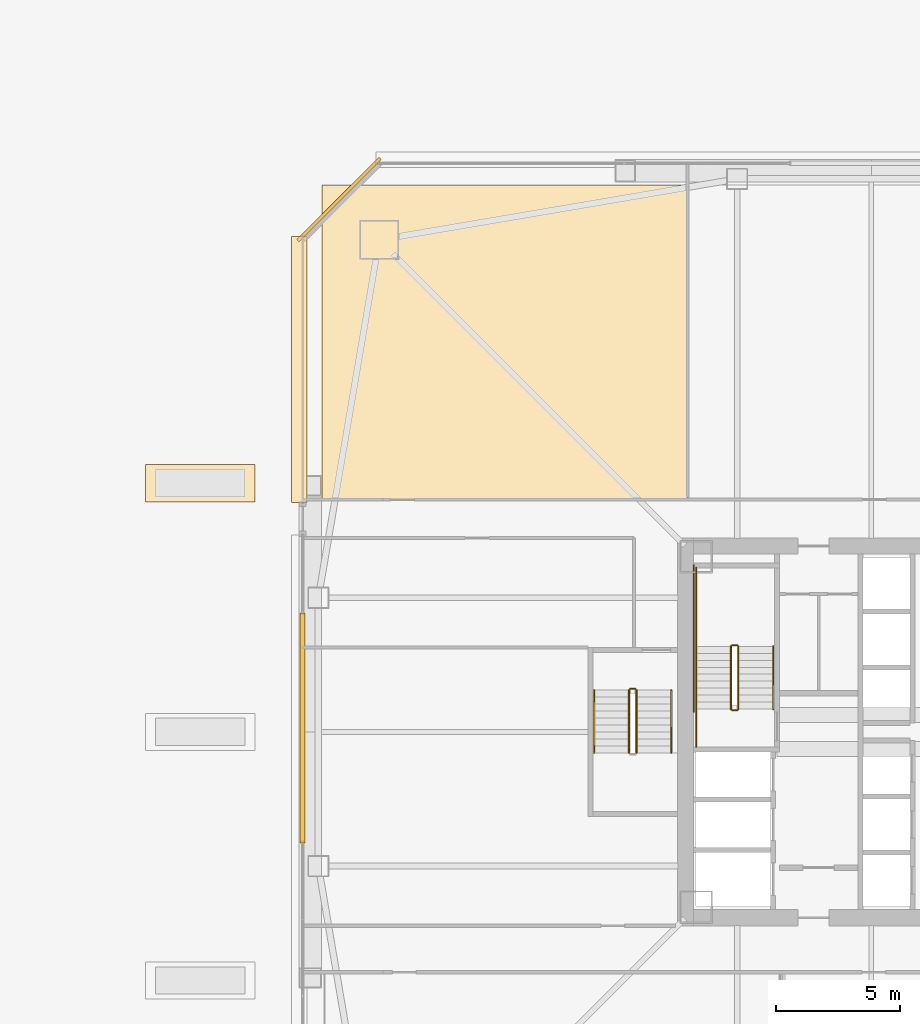
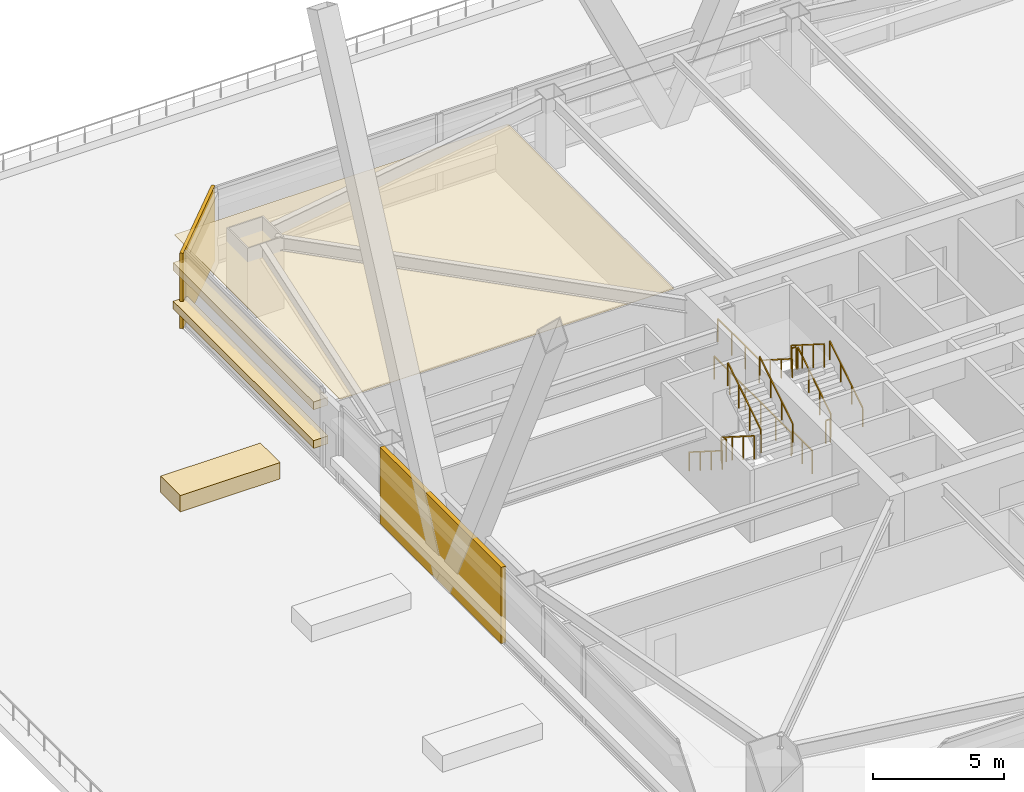
# One storey, part 75 of 83: 14 railings, 6 coverings.
"""IFC4 building model written with IfcOpenShell, lengths in metres."""

from ifc_helpers import new_model, si_unit, direction, frame, origin, origin_2d, place, context, subcontext, project, spatial, polyline, rectangle, outline, extrude, material, layer, layer_set, type_object, element, save


model = new_model("IFC4")

# Units and contexts
model_context = context("Model", 3, precision=1e-05, world=origin(), true_north=direction((0.0, 1.0)))
body_context = subcontext(model_context, "Body", "Model", "MODEL_VIEW")
ifc_project = project(units=[si_unit("LENGTHUNIT", "METRE"), si_unit("AREAUNIT", "SQUARE_METRE"), si_unit("VOLUMEUNIT", "CUBIC_METRE"), si_unit("PLANEANGLEUNIT", "RADIAN"), si_unit("MASSUNIT", "GRAM", prefix="KILO")], contexts=[model_context])

# Site, building, storey
site_placement = place(None, origin())
site = spatial("IfcSite", under=ifc_project, at=site_placement, CompositionType="ELEMENT")
building_placement = place(site_placement, origin())
building = spatial("IfcBuilding", under=site, at=building_placement, Name="Tashvorn Skyway Center", CompositionType="ELEMENT")
storey_placement = place(building_placement, frame((0.0, 0.0, 24.60009765625)))
storey = spatial("IfcBuildingStorey", under=building, at=storey_placement, Name="L05", CompositionType="ELEMENT", Elevation=24.60009765625)

# Coverings
ifc_material_1 = material(Name="Precast concrete C40/50", Category="concrete")
ifc_layer_1 = layer(ifc_material_1, 0.199951171875)
ifc_layer_set_1 = layer_set([ifc_layer_1], Name="Precast concrete C40/50")
covering_type_1 = type_object("IfcCoveringType", Name="COV-BRACE-CLAD", PredefinedType="CLADDING", material=ifc_layer_set_1)
covering_1_placement = place(storey_placement, frame((19.1201171875, 32.159912109375, 0.0), z_axis=(0.0, 0.0, 1.0), x_axis=(0.0, 1.0, 0.0)))
element("IfcCovering", 1, at=covering_1_placement, inside=storey, type_object=covering_type_1, Name="Tower 1 L05 West Unitised Curtain Wall L Mega-Brace Cladding Band 1", PredefinedType="CLADDING", context=body_context, shape_type="SweptSolid", body=[
    extrude(rectangle(XDim=9.2490234375, YDim=0.199951171875, at=origin_2d()), origin(), (0.0, 0.0, 1.0), 3.550048828125),
])
ifc_material_2 = material(Name="Mineral-fibre acoustic ceiling tile on suspended grid")
ifc_layer_2 = layer(ifc_material_2, 0.02001953125)
ifc_layer_set_2 = layer_set([ifc_layer_2], Name="Mineral-fibre acoustic ceiling tile on suspended grid")
covering_type_2 = type_object("IfcCoveringType", Name="COV-CEIL-20", PredefinedType="CEILING", material=ifc_layer_set_2)
covering_2_placement = place(storey_placement, frame((0.0, 0.0, 2.682861328125)))
element("IfcCovering", 2, at=covering_2_placement, inside=storey, type_object=covering_type_2, Name="Tower 1 L05 Open Plan Office Acoustic Ceiling", PredefinedType="CEILING", context=body_context, shape_type="SweptSolid", body=[
    extrude(outline(polyline([(19.89990234375, 41.35009765625), (34.60009765625, 41.35009765625), (34.60009765625, 54.0), (19.89990234375, 54.0), (19.89990234375, 41.35009765625)])), origin(), (0.0, 0.0, 1.0), 0.02001953125),
])
ifc_material_3 = material(Name="Perforated ceramic-coated bronze aluminium solar screen", Category="aluminium")
ifc_layer_3 = layer(ifc_material_3, 0.85009765625)
ifc_layer_set_3 = layer_set([ifc_layer_3], Name="Perforated ceramic-coated bronze aluminium solar screen")
covering_type_3 = type_object("IfcCoveringType", Name="COV-SOLAR-BAND", PredefinedType="CLADDING", material=ifc_layer_set_3)
for number, where, z_axis, x_axis, name in (
    (3, (18.97998046875, 46.581298828125, 0.919921875), (0.0, 0.0, 1.0), (0.0, 1.0, 0.0), "L05 Perforated Ceramic-Metal Solar Screen Louvre Band West 1"),
    (4, (18.97998046875, 46.581298828125, 2.7197265625), (0.0, 0.0, 1.0), (0.0, 1.0, 0.0), "L05 Perforated Ceramic-Metal Solar Screen Louvre Band West 2"),
):
    element("IfcCovering", number, at=place(storey_placement, frame(where, z_axis=z_axis, x_axis=x_axis)), inside=storey, type_object=covering_type_3, Name=name, PredefinedType="CLADDING", context=body_context, shape_type="SweptSolid", body=[
        extrude(rectangle(XDim=10.717529296875, YDim=0.639892578125, at=origin_2d()), origin(), (0.0, 0.0, 1.0), 0.360107421875),
    ])
ifc_layer_4 = layer(ifc_material_1, 0.35009765625)
ifc_layer_set_4 = layer_set([ifc_layer_4], Name="Precast concrete C40/50")
covering_type_4 = type_object("IfcCoveringType", Name="COV-STONE-TRIM", PredefinedType="CLADDING", material=ifc_layer_set_4)
covering_3_placement = place(storey_placement, frame((15.0, 42.0, 0.0), z_axis=(0.0, 0.0, 1.0), x_axis=(1.0, 0.0, 0.0)))
element("IfcCovering", 5, at=covering_3_placement, inside=storey, type_object=covering_type_4, Name="L05 Podium Roof Garden Stone Planter Kerb 3", PredefinedType="CLADDING", context=body_context, shape_type="SweptSolid", body=[
    extrude(rectangle(XDim=4.39990234375, YDim=1.5, at=origin_2d()), origin(), (0.0, 0.0, 1.0), 0.760009765625),
])
covering_4_placement = place(storey_placement, frame((20.580078125, 53.419921875, 0.02001953125), z_axis=(0.0, 0.0, 1.0), x_axis=(-0.707106781187, -0.707106781187, 0.0)))
element("IfcCovering", 6, at=covering_4_placement, inside=storey, type_object=covering_type_4, Name="Tower 1 L05 NW Mojave Limestone Corner Quoin", PredefinedType="CLADDING", context=body_context, shape_type="SweptSolid", body=[
    extrude(rectangle(XDim=4.685546875, YDim=0.139892578125, at=origin_2d()), origin(), (0.0, 0.0, 1.0), 3.510009765625),
])

# Railings
ifc_material_4 = material(Name="Brushed stainless steel 316", Category="steel")
railing_type_1 = type_object("IfcRailingType", Name="RAIL-HAND-920", PredefinedType="HANDRAIL", material=ifc_material_4)
railing_1_placement = place(storey_placement, frame((38.050048828125, 32.919921875, 0.177490234375)))
element("IfcRailing", 7, at=railing_1_placement, inside=storey, type_object=railing_type_1, Name="L05 ST-T1-1 stair handrail 1", PredefinedType="HANDRAIL", context=body_context, shape_type="SweptSolid", body=[
    extrude(rectangle(XDim=0.048095703125, YDim=0.048095703125, at=origin_2d()), frame((0.0, 0.0, 0.8759765625), z_axis=(0.0, 0.84460694969, 0.535386869969), x_axis=(-1.0, 0.0, 0.0)), (0.0, 0.0, 1.0), 2.983642578125),
    extrude(rectangle(XDim=0.0419921875, YDim=0.0419921875, at=origin_2d()), origin(), (0.0, 0.0, 1.0), 0.851806640625),
    extrude(rectangle(XDim=0.0419921875, YDim=0.0419921875, at=origin_2d()), frame((0.0, 0.840087890625, 0.532470703125)), (0.0, 0.0, 1.0), 0.851806640625),
    extrude(rectangle(XDim=0.0419921875, YDim=0.0419921875, at=origin_2d()), frame((0.0, 1.679931640625, 1.06494140625)), (0.0, 0.0, 1.0), 0.851806640625),
    extrude(rectangle(XDim=0.0419921875, YDim=0.0419921875, at=origin_2d()), frame((0.0, 2.52001953125, 1.597412109375)), (0.0, 0.0, 1.0), 0.851806640625),
])
for number, where, name in (
    (8, (34.949951171875, 35.43994140625, 1.952392578125), "L05 ST-T1-1 stair handrail 2"),
    (9, (30.85009765625, 33.679931640625, 0.177490234375), "L05 ST-T1-3 stair handrail 1"),
):
    element("IfcRailing", number, at=place(storey_placement, frame(where)), inside=storey, type_object=railing_type_1, Name=name, PredefinedType="HANDRAIL", context=body_context, shape_type="SweptSolid", body=[
        extrude(rectangle(XDim=0.048095703125, YDim=0.048095703125, at=origin_2d()), frame((0.0, 0.0, 0.8759765625), z_axis=(0.0, -0.84460694969, 0.535386869969), x_axis=(1.0, 0.0, 0.0)), (0.0, 0.0, 1.0), 2.983642578125),
        extrude(rectangle(XDim=0.0419921875, YDim=0.0419921875, at=origin_2d()), origin(), (0.0, 0.0, 1.0), 0.851806640625),
        extrude(rectangle(XDim=0.0419921875, YDim=0.0419921875, at=origin_2d()), frame((0.0, -0.840087890625, 0.532470703125)), (0.0, 0.0, 1.0), 0.851806640625),
        extrude(rectangle(XDim=0.0419921875, YDim=0.0419921875, at=origin_2d()), frame((0.0, -1.679931640625, 1.06494140625)), (0.0, 0.0, 1.0), 0.851806640625),
        extrude(rectangle(XDim=0.0419921875, YDim=0.0419921875, at=origin_2d()), frame((0.0, -2.52001953125, 1.597412109375)), (0.0, 0.0, 1.0), 0.851806640625),
    ])
railing_2_placement = place(storey_placement, frame((33.949951171875, 31.159912109375, 1.952392578125)))
element("IfcRailing", 10, at=railing_2_placement, inside=storey, type_object=railing_type_1, Name="L05 ST-T1-3 stair handrail 2", PredefinedType="HANDRAIL", context=body_context, shape_type="SweptSolid", body=[
    extrude(rectangle(XDim=0.048095703125, YDim=0.048095703125, at=origin_2d()), frame((0.0, 0.0, 0.8759765625), z_axis=(0.0, 0.84460694969, 0.535386869969), x_axis=(-1.0, 0.0, 0.0)), (0.0, 0.0, 1.0), 2.983642578125),
    extrude(rectangle(XDim=0.0419921875, YDim=0.0419921875, at=origin_2d()), origin(), (0.0, 0.0, 1.0), 0.851806640625),
    extrude(rectangle(XDim=0.0419921875, YDim=0.0419921875, at=origin_2d()), frame((0.0, 0.840087890625, 0.532470703125)), (0.0, 0.0, 1.0), 0.851806640625),
    extrude(rectangle(XDim=0.0419921875, YDim=0.0419921875, at=origin_2d()), frame((0.0, 1.679931640625, 1.06494140625)), (0.0, 0.0, 1.0), 0.851806640625),
    extrude(rectangle(XDim=0.0419921875, YDim=0.0419921875, at=origin_2d()), frame((0.0, 2.52001953125, 1.597412109375)), (0.0, 0.0, 1.0), 0.851806640625),
])
ifc_material_5 = material(Name="Painted galvanized steel S355", Category="steel")
railing_type_2 = type_object("IfcRailingType", Name="RAIL-STGUARD-1100", PredefinedType="GUARDRAIL", material=ifc_material_5)
railing_3_placement = place(storey_placement, frame((36.64990234375, 32.919921875, 0.177490234375)))
element("IfcRailing", 11, at=railing_3_placement, inside=storey, type_object=railing_type_2, Name="L05 ST-T1-1 stair guard 1", PredefinedType="GUARDRAIL", context=body_context, shape_type="SweptSolid", body=[
    extrude(rectangle(XDim=0.048095703125, YDim=0.048095703125, at=origin_2d()), frame((0.0, 0.0, 1.076171875), z_axis=(0.0, 0.84460694969, 0.535386869969), x_axis=(-1.0, 0.0, 0.0)), (0.0, 0.0, 1.0), 2.983642578125),
    extrude(rectangle(XDim=0.0419921875, YDim=0.0419921875, at=origin_2d()), origin(), (0.0, 0.0, 1.0), 1.052001953125),
    extrude(rectangle(XDim=0.0419921875, YDim=0.0419921875, at=origin_2d()), frame((0.0, 0.840087890625, 0.532470703125)), (0.0, 0.0, 1.0), 1.052001953125),
    extrude(rectangle(XDim=0.0419921875, YDim=0.0419921875, at=origin_2d()), frame((0.0, 1.679931640625, 1.06494140625)), (0.0, 0.0, 1.0), 1.052001953125),
    extrude(rectangle(XDim=0.0419921875, YDim=0.0419921875, at=origin_2d()), frame((0.0, 2.52001953125, 1.597412109375)), (0.0, 0.0, 1.0), 1.052001953125),
])
railing_4_placement = place(storey_placement, frame((36.60009765625, 35.489990234375, 1.77490234375)))
element("IfcRailing", 12, at=railing_4_placement, inside=storey, type_object=railing_type_2, Name="L05 ST-T1-1 stair guard 2", PredefinedType="GUARDRAIL", context=body_context, shape_type="SweptSolid", body=[
    extrude(rectangle(XDim=0.048095703125, YDim=0.048095703125, at=origin_2d()), frame((0.0, 0.0, 1.076171875), z_axis=(-1.0, 0.0, 0.0), x_axis=(0.0, -1.0, 0.0)), (0.0, 0.0, 1.0), 0.2001953125),
    extrude(rectangle(XDim=0.0419921875, YDim=0.0419921875, at=origin_2d()), origin(), (0.0, 0.0, 1.0), 1.052001953125),
    extrude(rectangle(XDim=0.0419921875, YDim=0.0419921875, at=origin_2d()), frame((-0.2001953125, 0.0, 0.0)), (0.0, 0.0, 1.0), 1.052001953125),
])
railing_5_placement = place(storey_placement, frame((34.949951171875, 35.43994140625, 1.77490234375)))
element("IfcRailing", 13, at=railing_5_placement, inside=storey, type_object=railing_type_2, Name="L05 ST-T1-1 stair guard 3", PredefinedType="GUARDRAIL", context=body_context, shape_type="SweptSolid", body=[
    extrude(rectangle(XDim=0.048095703125, YDim=0.048095703125, at=origin_2d()), frame((0.0, 0.0, 1.076171875), z_axis=(0.0, 1.0, 0.0), x_axis=(-1.0, 0.0, 0.0)), (0.0, 0.0, 1.0), 3.16015625),
    extrude(rectangle(XDim=0.0419921875, YDim=0.0419921875, at=origin_2d()), origin(), (0.0, 0.0, 1.0), 1.052001953125),
    extrude(rectangle(XDim=0.0419921875, YDim=0.0419921875, at=origin_2d()), frame((0.0, 1.053466796875, 0.0)), (0.0, 0.0, 1.0), 1.052001953125),
    extrude(rectangle(XDim=0.0419921875, YDim=0.0419921875, at=origin_2d()), frame((0.0, 2.106689453125, 0.0)), (0.0, 0.0, 1.0), 1.052001953125),
    extrude(rectangle(XDim=0.0419921875, YDim=0.0419921875, at=origin_2d()), frame((0.0, 3.16015625, 0.0)), (0.0, 0.0, 1.0), 1.052001953125),
])
railing_6_placement = place(storey_placement, frame((36.35009765625, 35.43994140625, 1.952392578125)))
element("IfcRailing", 14, at=railing_6_placement, inside=storey, type_object=railing_type_2, Name="L05 ST-T1-1 stair guard 4", PredefinedType="GUARDRAIL", context=body_context, shape_type="SweptSolid", body=[
    extrude(rectangle(XDim=0.048095703125, YDim=0.048095703125, at=origin_2d()), frame((0.0, 0.0, 1.076171875), z_axis=(0.0, -0.84460694969, 0.535386869969), x_axis=(1.0, 0.0, 0.0)), (0.0, 0.0, 1.0), 2.983642578125),
    extrude(rectangle(XDim=0.0419921875, YDim=0.0419921875, at=origin_2d()), origin(), (0.0, 0.0, 1.0), 1.052001953125),
    extrude(rectangle(XDim=0.0419921875, YDim=0.0419921875, at=origin_2d()), frame((0.0, -0.840087890625, 0.532470703125)), (0.0, 0.0, 1.0), 1.052001953125),
    extrude(rectangle(XDim=0.0419921875, YDim=0.0419921875, at=origin_2d()), frame((0.0, -1.679931640625, 1.06494140625)), (0.0, 0.0, 1.0), 1.052001953125),
    extrude(rectangle(XDim=0.0419921875, YDim=0.0419921875, at=origin_2d()), frame((0.0, -2.52001953125, 1.597412109375)), (0.0, 0.0, 1.0), 1.052001953125),
])
railing_7_placement = place(storey_placement, frame((36.60009765625, 32.8701171875, 0.0)))
element("IfcRailing", 15, at=railing_7_placement, inside=storey, type_object=railing_type_2, Name="L05 ST-T1-1 stair guard 5", PredefinedType="GUARDRAIL", context=body_context, shape_type="SweptSolid", body=[
    extrude(rectangle(XDim=0.048095703125, YDim=0.048095703125, at=origin_2d()), frame((0.0, 0.0, 1.076171875), z_axis=(-1.0, 0.0, 0.0), x_axis=(0.0, -1.0, 0.0)), (0.0, 0.0, 1.0), 0.2001953125),
    extrude(rectangle(XDim=0.0419921875, YDim=0.0419921875, at=origin_2d()), origin(), (0.0, 0.0, 1.0), 1.052001953125),
    extrude(rectangle(XDim=0.0419921875, YDim=0.0419921875, at=origin_2d()), frame((-0.2001953125, 0.0, 0.0)), (0.0, 0.0, 1.0), 1.052001953125),
])
railing_8_placement = place(storey_placement, frame((34.949951171875, 31.39990234375, 0.0)))
element("IfcRailing", 16, at=railing_8_placement, inside=storey, type_object=railing_type_2, Name="L05 ST-T1-1 stair guard 6", PredefinedType="GUARDRAIL", context=body_context, shape_type="SweptSolid", body=[
    extrude(rectangle(XDim=0.048095703125, YDim=0.048095703125, at=origin_2d()), frame((0.0, 0.0, 1.076171875), z_axis=(0.0, 1.0, 0.0), x_axis=(-1.0, 0.0, 0.0)), (0.0, 0.0, 1.0), 1.52001953125),
    extrude(rectangle(XDim=0.0419921875, YDim=0.0419921875, at=origin_2d()), origin(), (0.0, 0.0, 1.0), 1.052001953125),
    extrude(rectangle(XDim=0.0419921875, YDim=0.0419921875, at=origin_2d()), frame((0.0, 0.760009765625, 0.0)), (0.0, 0.0, 1.0), 1.052001953125),
    extrude(rectangle(XDim=0.0419921875, YDim=0.0419921875, at=origin_2d()), frame((0.0, 1.52001953125, 0.0)), (0.0, 0.0, 1.0), 1.052001953125),
])
railing_9_placement = place(storey_placement, frame((34.85009765625, 32.820068359375, 0.0)))
element("IfcRailing", 17, at=railing_9_placement, inside=storey, type_object=railing_type_2, Name="L05 ST-T1-1 stair guard 7", PredefinedType="GUARDRAIL", context=body_context, shape_type="SweptSolid", body=[
    extrude(rectangle(XDim=0.048095703125, YDim=0.048095703125, at=origin_2d()), frame((0.0, 0.0, 1.076171875), z_axis=(0.0, 1.0, 0.0), x_axis=(-1.0, 0.0, 0.0)), (0.0, 0.0, 1.0), 5.8798828125),
    extrude(rectangle(XDim=0.0419921875, YDim=0.0419921875, at=origin_2d()), origin(), (0.0, 0.0, 1.0), 1.052001953125),
    extrude(rectangle(XDim=0.0419921875, YDim=0.0419921875, at=origin_2d()), frame((0.0, 1.176025390625, 0.0)), (0.0, 0.0, 1.0), 1.052001953125),
    extrude(rectangle(XDim=0.0419921875, YDim=0.0419921875, at=origin_2d()), frame((0.0, 2.35205078125, 0.0)), (0.0, 0.0, 1.0), 1.052001953125),
    extrude(rectangle(XDim=0.0419921875, YDim=0.0419921875, at=origin_2d()), frame((0.0, 3.52783203125, 0.0)), (0.0, 0.0, 1.0), 1.052001953125),
    extrude(rectangle(XDim=0.0419921875, YDim=0.0419921875, at=origin_2d()), frame((0.0, 4.703857421875, 0.0)), (0.0, 0.0, 1.0), 1.052001953125),
    extrude(rectangle(XDim=0.0419921875, YDim=0.0419921875, at=origin_2d()), frame((0.0, 5.8798828125, 0.0)), (0.0, 0.0, 1.0), 1.052001953125),
])
railing_10_placement = place(storey_placement, frame((32.25, 33.679931640625, 0.177490234375)))
element("IfcRailing", 18, at=railing_10_placement, inside=storey, type_object=railing_type_2, Name="L05 ST-T1-3 stair guard 1", PredefinedType="GUARDRAIL", context=body_context, shape_type="SweptSolid", body=[
    extrude(rectangle(XDim=0.048095703125, YDim=0.048095703125, at=origin_2d()), frame((0.0, 0.0, 1.076171875), z_axis=(0.0, -0.84460694969, 0.535386869969), x_axis=(1.0, 0.0, 0.0)), (0.0, 0.0, 1.0), 2.983642578125),
    extrude(rectangle(XDim=0.0419921875, YDim=0.0419921875, at=origin_2d()), origin(), (0.0, 0.0, 1.0), 1.052001953125),
    extrude(rectangle(XDim=0.0419921875, YDim=0.0419921875, at=origin_2d()), frame((0.0, -0.840087890625, 0.532470703125)), (0.0, 0.0, 1.0), 1.052001953125),
    extrude(rectangle(XDim=0.0419921875, YDim=0.0419921875, at=origin_2d()), frame((0.0, -1.679931640625, 1.06494140625)), (0.0, 0.0, 1.0), 1.052001953125),
    extrude(rectangle(XDim=0.0419921875, YDim=0.0419921875, at=origin_2d()), frame((0.0, -2.52001953125, 1.597412109375)), (0.0, 0.0, 1.0), 1.052001953125),
])
railing_11_placement = place(storey_placement, frame((32.550048828125, 31.159912109375, 1.952392578125)))
element("IfcRailing", 19, at=railing_11_placement, inside=storey, type_object=railing_type_2, Name="L05 ST-T1-3 stair guard 3", PredefinedType="GUARDRAIL", context=body_context, shape_type="SweptSolid", body=[
    extrude(rectangle(XDim=0.048095703125, YDim=0.048095703125, at=origin_2d()), frame((0.0, 0.0, 1.076171875), z_axis=(0.0, 0.84460694969, 0.535386869969), x_axis=(-1.0, 0.0, 0.0)), (0.0, 0.0, 1.0), 2.983642578125),
    extrude(rectangle(XDim=0.0419921875, YDim=0.0419921875, at=origin_2d()), origin(), (0.0, 0.0, 1.0), 1.052001953125),
    extrude(rectangle(XDim=0.0419921875, YDim=0.0419921875, at=origin_2d()), frame((0.0, 0.840087890625, 0.532470703125)), (0.0, 0.0, 1.0), 1.052001953125),
    extrude(rectangle(XDim=0.0419921875, YDim=0.0419921875, at=origin_2d()), frame((0.0, 1.679931640625, 1.06494140625)), (0.0, 0.0, 1.0), 1.052001953125),
    extrude(rectangle(XDim=0.0419921875, YDim=0.0419921875, at=origin_2d()), frame((0.0, 2.52001953125, 1.597412109375)), (0.0, 0.0, 1.0), 1.052001953125),
])
railing_12_placement = place(storey_placement, frame((32.300048828125, 33.72998046875, 0.0)))
element("IfcRailing", 20, at=railing_12_placement, inside=storey, type_object=railing_type_2, Name="L05 ST-T1-3 stair guard 4", PredefinedType="GUARDRAIL", context=body_context, shape_type="SweptSolid", body=[
    extrude(rectangle(XDim=0.048095703125, YDim=0.048095703125, at=origin_2d()), frame((0.0, 0.0, 1.076171875), z_axis=(1.0, 0.0, 0.0), x_axis=(0.0, 1.0, 0.0)), (0.0, 0.0, 1.0), 0.199951171875),
    extrude(rectangle(XDim=0.0419921875, YDim=0.0419921875, at=origin_2d()), origin(), (0.0, 0.0, 1.0), 1.052001953125),
    extrude(rectangle(XDim=0.0419921875, YDim=0.0419921875, at=origin_2d()), frame((0.199951171875, 0.0, 0.0)), (0.0, 0.0, 1.0), 1.052001953125),
])

save(model, "model.ifc")
